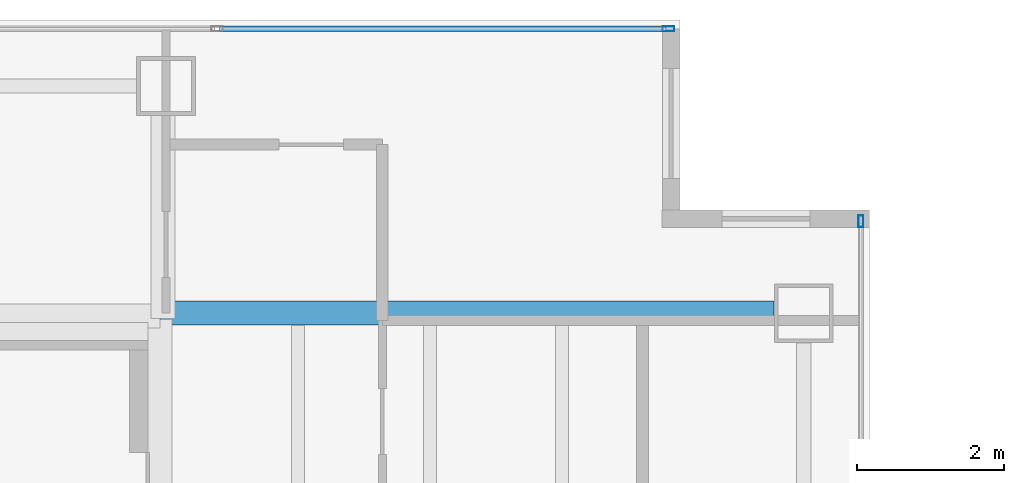
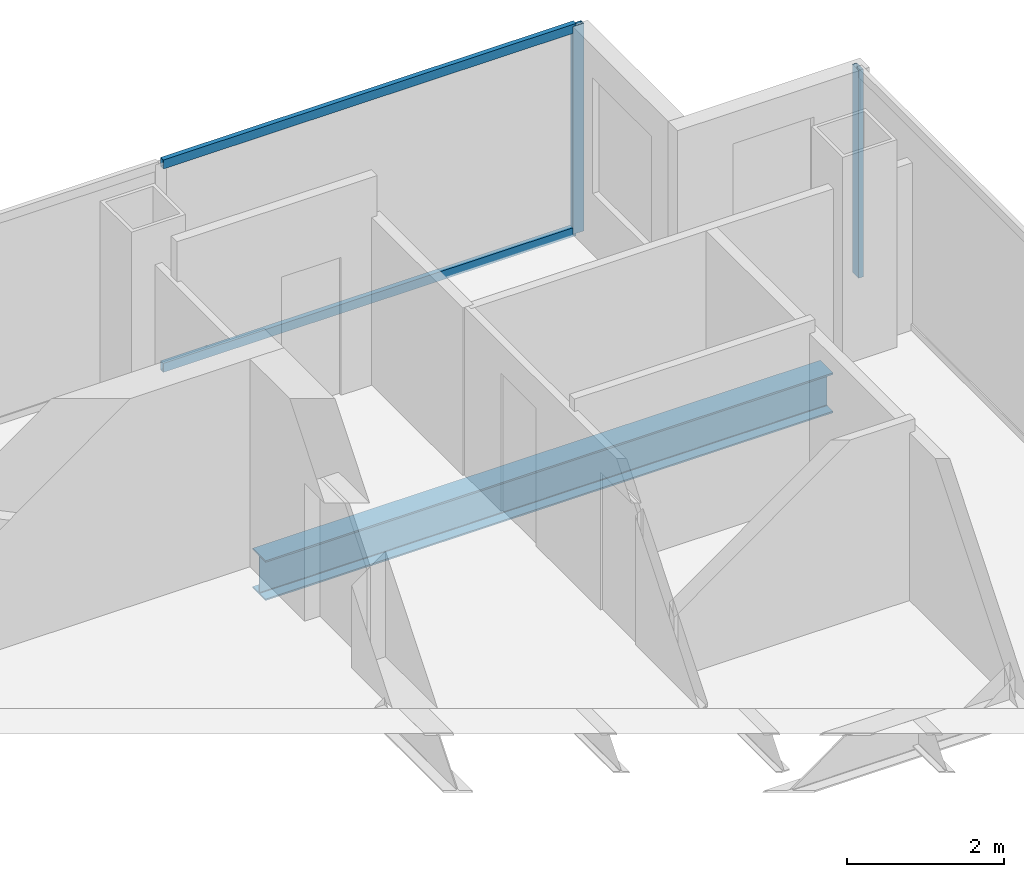
# One storey, part 18 of 23: 4 members, 1 beam, 2 elements without a shape of their own.
"""IFC4 building model written with IfcOpenShell, lengths in metres."""

import ifcopenshell
import ifcopenshell.guid

model = None  # the IFC model being written
_history = None  # IfcOwnerHistory: only IFC2X3 demands one
_inside = {}  # id of a spatial element -> (the spatial element, [elements in it])
_under = {}  # id of a project, library or spatial element -> (it, [spatial elements below it])
_declared = {}  # id of a project -> (the project, [libraries it declares])
_typed = {}  # id of a type object -> (the type object, [elements of that type])
_made_of = {}  # id of a material, layer set ... -> (it, [elements and type objects made of it])


def new_model(schema):
    """Start an empty IFC model of exactly this schema.

    Asked for "IFC4X3", IfcOpenShell would pick the latest addendum, in which some entities
    have other attributes; the version numbers below select the first issue.
    IFC2X3 requires an IfcOwnerHistory on every rooted entity: one is made here for all.
    """
    global model, _history
    if schema == "IFC4X3":
        model = ifcopenshell.file(schema_version=(4, 3, 0, 0))
    else:
        model = ifcopenshell.file(schema=schema)
    _inside.clear()
    _under.clear()
    _declared.clear()
    _typed.clear()
    _made_of.clear()
    _history = None
    if model.schema == "IFC2X3":
        org = make("IfcOrganization", Name="unknown")
        user = make(
            "IfcPersonAndOrganization",
            ThePerson=make("IfcPerson", FamilyName="unknown"),
            TheOrganization=org,
        )
        app = make(
            "IfcApplication",
            ApplicationDeveloper=org,
            Version="unknown",
            ApplicationFullName="unknown",
            ApplicationIdentifier="unknown",
        )
        _history = make(
            "IfcOwnerHistory",
            OwningUser=user,
            OwningApplication=app,
            ChangeAction="ADDED",
            CreationDate=0,
        )
    return model


def make(cls, **values):
    """One entity of the class cls with the attributes given. An attribute that is None is left unset."""
    return model.create_entity(
        cls, **{name: value for name, value in values.items() if value is not None}
    )


def rooted(cls, **values):
    """An entity with a GlobalId (a new one), such as an element, a storey or a relation."""
    return make(cls, GlobalId=ifcopenshell.guid.new(), OwnerHistory=_history, **values)


def si_unit(unit_type, name, prefix=None):
    """IfcSIUnit, for example si_unit("LENGTHUNIT", "METRE", prefix="MILLI")."""
    return make("IfcSIUnit", UnitType=unit_type, Prefix=prefix, Name=name)


def assignment(units):
    """IfcUnitAssignment: the units of a project."""
    return None if units is None else make("IfcUnitAssignment", Units=units)


def point(xyz):
    """IfcCartesianPoint."""
    return None if xyz is None else make("IfcCartesianPoint", Coordinates=xyz)


def direction(xyz):
    """IfcDirection."""
    return None if xyz is None else make("IfcDirection", DirectionRatios=xyz)


def frame(location, z_axis=None, x_axis=None):
    """IfcAxis2Placement3D, a coordinate frame: its origin and axes. An axis left out is left unset."""
    return make(
        "IfcAxis2Placement3D",
        Location=point(location),
        Axis=direction(z_axis),
        RefDirection=direction(x_axis),
    )


def frame_2d(location, x_axis=None):
    """IfcAxis2Placement2D, a coordinate frame in the plane: its origin and x axis."""
    return make(
        "IfcAxis2Placement2D", Location=point(location), RefDirection=direction(x_axis)
    )


def origin():
    """The frame at (0, 0, 0) with its axes left unset."""
    return frame((0.0, 0.0, 0.0))


def origin_2d():
    """The frame at (0, 0) in the plane with its x axis left unset."""
    return frame_2d((0.0, 0.0))


def place(relative_to, where):
    """IfcLocalPlacement: puts the frame where relative to a parent placement (None: the world)."""
    return make(
        "IfcLocalPlacement", PlacementRelTo=relative_to, RelativePlacement=where
    )


def context(
    kind, dimensions, precision=None, world=None, true_north=None, identifier=None
):
    """IfcGeometricRepresentationContext, for example the 3D "Model" context."""
    return make(
        "IfcGeometricRepresentationContext",
        ContextIdentifier=identifier,
        ContextType=kind,
        CoordinateSpaceDimension=dimensions,
        Precision=precision,
        WorldCoordinateSystem=world,
        TrueNorth=true_north,
    )


def subcontext(parent, identifier, kind, view, scale=None):
    """IfcGeometricRepresentationSubContext, for example "Body" below "Model"."""
    return make(
        "IfcGeometricRepresentationSubContext",
        ContextIdentifier=identifier,
        ContextType=kind,
        ParentContext=parent,
        TargetScale=scale,
        TargetView=view,
    )


def project(units=None, contexts=None):
    """IfcProject with its units and contexts."""
    return rooted(
        "IfcProject",
        Name="project",
        RepresentationContexts=contexts,
        UnitsInContext=assignment(units),
    )


def spatial(cls, under=None, at=None, **own):
    """A site, building, storey or space (cls), placed at a placement, below another one or the project."""
    s = rooted(cls, ObjectPlacement=at, **own)
    if under is not None:
        _under.setdefault(under.id(), (under, []))[1].append(s)
    return s


def profile(cls, at=None, kind="AREA", **sizes):
    """A parametric profile (cls). Its sizes go by their IFC names, for example OverallWidth=200.0."""
    return make(cls, ProfileType=kind, Position=at, **sizes)


def hollow_rectangle(**sizes):
    """IfcRectangleHollowProfileDef."""
    return profile("IfcRectangleHollowProfileDef", **sizes)


def i_section(**sizes):
    """IfcIShapeProfileDef."""
    return profile("IfcIShapeProfileDef", **sizes)


def extrude(swept, where, along, depth):
    """IfcExtrudedAreaSolid: the profile swept, set in the frame where, extruded along a direction by depth."""
    return make(
        "IfcExtrudedAreaSolid",
        SweptArea=swept,
        Position=where,
        ExtrudedDirection=direction(along),
        Depth=depth,
    )


def shape(context_of_items, identifier, shape_type, items):
    """IfcShapeRepresentation: the items that make up one representation, for example the "Body"."""
    return make(
        "IfcShapeRepresentation",
        ContextOfItems=context_of_items,
        RepresentationIdentifier=identifier,
        RepresentationType=shape_type,
        Items=items,
    )


def material(Name=None, Category=None):
    """IfcMaterial."""
    return make("IfcMaterial", Name=Name, Category=Category)


def material_profile(
    of_material, cross_section, Name=None, Category=None, Priority=None
):
    """IfcMaterialProfile: a cross section and its material."""
    return make(
        "IfcMaterialProfile",
        Name=Name,
        Material=of_material,
        Profile=cross_section,
        Priority=Priority,
        Category=Category,
    )


def profile_set(profiles, Name=None, composite=None):
    """IfcMaterialProfileSet."""
    return make(
        "IfcMaterialProfileSet",
        Name=Name,
        MaterialProfiles=profiles,
        CompositeProfile=composite,
    )


def made_of(thing, what):
    """Note that an element or type object is made of a material, layer set ...; save() writes the relation."""
    if what is not None:
        _made_of.setdefault(what.id(), (what, []))[1].append(thing)
    return thing


def type_object(cls, material=None, **own):
    """A type object (cls), such as IfcWallType, which elements share."""
    return made_of(rooted(cls, **own), material)


def element(
    cls,
    number,
    at=None,
    inside=None,
    cuts=None,
    type_object=None,
    material=None,
    context=None,
    identifier="Body",
    shape_type=None,
    held_by="IfcProductDefinitionShape",
    body=None,
    shapes=None,
    **own,
):
    """One element of the class cls, such as IfcWall. Its Tag is "e" and its number.

    at: its placement. inside: the storey or other place that contains it. cuts: it is an
    opening in that element (IfcRelVoidsElement). A single representation is given by context,
    identifier, shape_type and body (its items); several are given by shapes. held_by: the class
    of the entity that holds the representations. save() writes the other relations.
    """
    e = rooted(cls, Tag="e%d" % number, ObjectPlacement=at, **own)
    if body is not None:
        shapes = [shape(context, identifier, shape_type, body)]
    if shapes is not None:
        e.Representation = make(held_by, Representations=shapes)
    if inside is not None:
        _inside.setdefault(inside.id(), (inside, []))[1].append(e)
    if cuts is not None:
        rooted(
            "IfcRelVoidsElement", RelatingBuildingElement=cuts, RelatedOpeningElement=e
        )
    if type_object is not None:
        _typed.setdefault(type_object.id(), (type_object, []))[1].append(e)
    return made_of(e, material)


def aggregate(whole, parts):
    """IfcRelAggregates: a whole, such as a stair, and the parts it consists of."""
    return rooted("IfcRelAggregates", RelatingObject=whole, RelatedObjects=parts)


def save(model, path):
    """Write the relations noted so far, then the file.

    IfcRelAggregates (storeys below a building ...), IfcRelContainedInSpatialStructure (elements
    in a storey), IfcRelDefinesByType, IfcRelAssociatesMaterial and IfcRelDeclares: one each for
    every whole, place, type object, material and project.
    """
    for whole, parts in _under.values():
        aggregate(whole, parts)
    for where, things in _inside.values():
        rooted(
            "IfcRelContainedInSpatialStructure",
            RelatedElements=things,
            RelatingStructure=where,
        )
    for kind, things in _typed.values():
        rooted("IfcRelDefinesByType", RelatedObjects=things, RelatingType=kind)
    for what, things in _made_of.values():
        rooted("IfcRelAssociatesMaterial", RelatedObjects=things, RelatingMaterial=what)
    for by, libraries in _declared.values():
        rooted("IfcRelDeclares", RelatingContext=by, RelatedDefinitions=libraries)
    model.write(path)


model = new_model("IFC4")

# Units and contexts
model_context = context("Model", 3, precision=1e-05, world=origin(), true_north=direction((0.0, 1.0)))
body_context = subcontext(model_context, "Body", "Model", "MODEL_VIEW")
ifc_project = project(units=[si_unit("LENGTHUNIT", "METRE"), si_unit("AREAUNIT", "SQUARE_METRE"), si_unit("VOLUMEUNIT", "CUBIC_METRE"), si_unit("PLANEANGLEUNIT", "RADIAN"), si_unit("MASSUNIT", "GRAM", prefix="KILO")], contexts=[model_context])

# Site, building, storey
site_placement = place(None, origin())
site = spatial("IfcSite", under=ifc_project, at=site_placement, CompositionType="ELEMENT")
building_placement = place(site_placement, origin())
building = spatial("IfcBuilding", under=site, at=building_placement, Name="Cobrela Telecom Tower", CompositionType="ELEMENT")
storey_placement = place(building_placement, frame((0.0, 0.0, 197.75)))
storey = spatial("IfcBuildingStorey", under=building, at=storey_placement, Name="L50", CompositionType="ELEMENT", Elevation=197.75)

# Beam
ifc_material_1 = material(Name="Steel ASTM A992 Grade 50", Category="steel")
ifc_material_profile_1 = material_profile(ifc_material_1, i_section(OverallWidth=0.327880859375, OverallDepth=0.6220703125, WebThickness=0.015380859375, FlangeThickness=0.0244140625, FilletRadius=0.014892578125, at=origin_2d()), Name="W24X131")
ifc_profile_set_1 = profile_set([ifc_material_profile_1], Name="Steel ASTM A992 Grade 50")
beam_type = type_object("IfcBeamType", Name="BM-GIRD-06", PredefinedType="USERDEFINED", material=ifc_profile_set_1)
beam_placement = place(storey_placement, frame((14.324951171875, 36.0, -0.571044921875), z_axis=(1.0, 0.0, 0.0), x_axis=(0.0, 1.0, 0.0)))
element("IfcBeam", 1, at=beam_placement, inside=storey, type_object=beam_type, Name="L50 Primary Girder X22", ObjectType="GIRDER", PredefinedType="USERDEFINED", context=body_context, shape_type="SweptSolid", body=[
    extrude(i_section(OverallWidth=0.327880859375, OverallDepth=0.6220703125, WebThickness=0.015380859375, FlangeThickness=0.0244140625, FilletRadius=0.014892578125, at=origin_2d()), origin(), (0.0, 0.0, 1.0), 8.3701171875),
])

# Curtain wall, member
ifc_material_2 = material(Name="Anodized Bronze Aluminium 6063-T6", Category="aluminium")
curtain_wall_type = type_object("IfcCurtainWallType", Name="CW-SYS-OFF-LO", PredefinedType="USERDEFINED", material=ifc_material_2)
curtain_wall_1_placement = place(storey_placement, origin())
curtain_wall_1 = element("IfcCurtainWall", 2, at=curtain_wall_1_placement, inside=storey, type_object=curtain_wall_type, Name="L50 Unitised Bronze Curtain Wall 07", ObjectType="UNITISED CURTAIN WALL", PredefinedType="USERDEFINED")
ifc_material_profile_2 = material_profile(ifc_material_2, hollow_rectangle(XDim=0.070068359375, YDim=0.159912109375, WallThickness=0.00390625, at=origin_2d()), Name="ALU 70x160x4")
ifc_profile_set_2 = profile_set([ifc_material_profile_2], Name="Anodized Bronze Aluminium 6063-T6")
member_type_1 = type_object("IfcMemberType", Name="CW-SYS-OFF-LO-MUL", PredefinedType="MULLION", material=ifc_profile_set_2)
member_1_placement = place(storey_placement, frame((21.2548828125, 39.8798828125, 0.0), z_axis=(0.0, 0.0, 1.0), x_axis=(0.0, 1.0, 0.0)))
member_1 = element("IfcMember", 3, at=member_1_placement, type_object=member_type_1, Name="CW-OFF-LO mullion 4", PredefinedType="MULLION", context=body_context, shape_type="SweptSolid", body=[
    extrude(hollow_rectangle(XDim=0.070068359375, YDim=0.159912109375, WallThickness=0.00390625, at=origin_2d()), origin(), (0.0, 0.0, 1.0), 3.239990234375),
])

curtain_wall_2_placement = place(storey_placement, origin())
curtain_wall_2 = element("IfcCurtainWall", 4, at=curtain_wall_2_placement, inside=storey, type_object=curtain_wall_type, Name="L50 Unitised Bronze Curtain Wall 10", ObjectType="UNITISED CURTAIN WALL", PredefinedType="USERDEFINED")
member_2_placement = place(storey_placement, frame((23.8798828125, 37.2548828125, 0.0), z_axis=(0.0, 0.0, 1.0), x_axis=(1.0, 0.0, 0.0)))
member_2 = element("IfcMember", 5, at=member_2_placement, type_object=member_type_1, Name="CW-OFF-LO mullion 1", PredefinedType="MULLION", context=body_context, shape_type="SweptSolid", body=[
    extrude(hollow_rectangle(XDim=0.070068359375, YDim=0.159912109375, WallThickness=0.00390625, at=origin_2d()), origin(), (0.0, 0.0, 1.0), 3.239990234375),
])
aggregate(curtain_wall_2, [member_2])

# Member
ifc_material_profile_3 = material_profile(ifc_material_2, hollow_rectangle(XDim=0.070068359375, YDim=0.139892578125, WallThickness=0.00390625, at=origin_2d()), Name="ALU 70x140x4")
ifc_profile_set_3 = profile_set([ifc_material_profile_3], Name="Anodized Bronze Aluminium 6063-T6")
member_type_2 = type_object("IfcMemberType", Name="CW-SYS-OFF-LO-TRN", PredefinedType="USERDEFINED", material=ifc_profile_set_3)
member_3_placement = place(storey_placement, frame((15.131591796875, 39.8798828125, 0.034912109375), z_axis=(1.0, 0.0, 0.0), x_axis=(0.0, 1.0, 0.0)))
member_3 = element("IfcMember", 6, at=member_3_placement, type_object=member_type_2, Name="CW-OFF-LO transom 3.1", ObjectType="TRANSOM", PredefinedType="USERDEFINED", context=body_context, shape_type="SweptSolid", body=[
    extrude(hollow_rectangle(XDim=0.070068359375, YDim=0.139892578125, WallThickness=0.00390625, at=origin_2d()), origin(), (0.0, 0.0, 1.0), 6.08837890625),
])

member_4_placement = place(storey_placement, frame((15.131591796875, 39.8798828125, 3.205078125), z_axis=(1.0, 0.0, 0.0), x_axis=(0.0, 1.0, 0.0)))
member_4 = element("IfcMember", 7, at=member_4_placement, type_object=member_type_2, Name="CW-OFF-LO transom 3.2", ObjectType="TRANSOM", PredefinedType="USERDEFINED", context=body_context, shape_type="SweptSolid", body=[
    extrude(hollow_rectangle(XDim=0.070068359375, YDim=0.139892578125, WallThickness=0.00390625, at=origin_2d()), origin(), (0.0, 0.0, 1.0), 6.08837890625),
])

aggregate(curtain_wall_1, [member_1, member_3, member_4])

save(model, "model.ifc")
